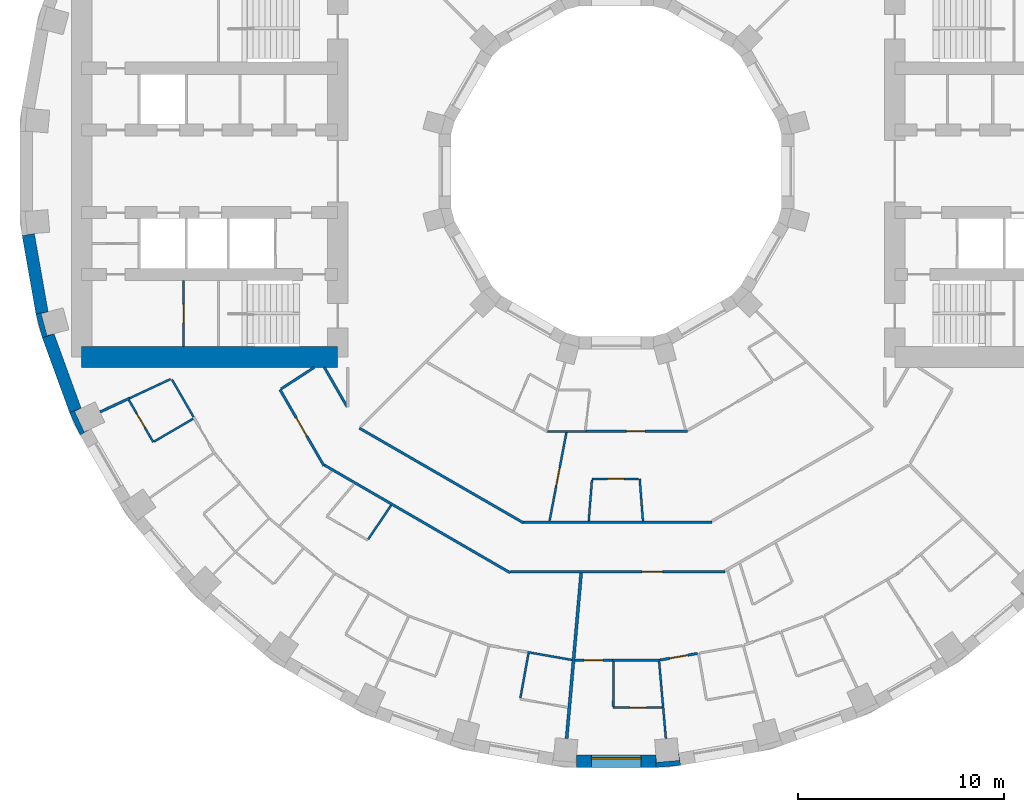
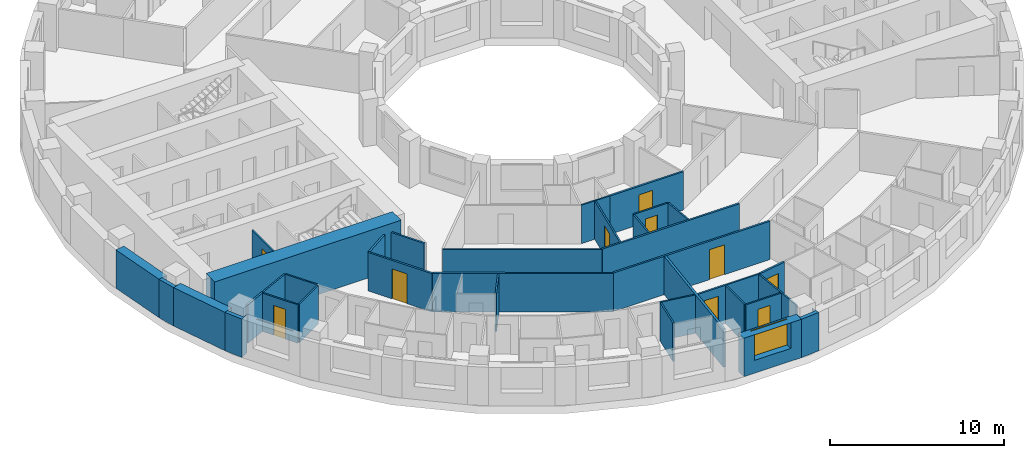
# One storey, part 5 of 15: 36 walls, 10 doors, 1 window, 11 openings.
"""IFC4 building model written with IfcOpenShell, lengths in metres."""

from ifc_helpers import new_model, si_unit, direction, frame, frame_2d, origin, place, context, subcontext, project, spatial, polyline, rectangle, outline, extrude, material, layer, layer_set, type_object, element, fill, save


model = new_model("IFC4")

# Units and contexts
model_context = context("Model", 3, precision=1e-05, world=origin(), true_north=direction((0.0, 1.0)))
body_context = subcontext(model_context, "Body", "Model", "MODEL_VIEW")
ifc_project = project(units=[si_unit("LENGTHUNIT", "METRE"), si_unit("AREAUNIT", "SQUARE_METRE"), si_unit("VOLUMEUNIT", "CUBIC_METRE"), si_unit("PLANEANGLEUNIT", "RADIAN"), si_unit("MASSUNIT", "GRAM", prefix="KILO")], contexts=[model_context])

# Site, building, storey
site_placement = place(None, origin())
site = spatial("IfcSite", under=ifc_project, at=site_placement, CompositionType="ELEMENT")
building_placement = place(site_placement, origin())
building = spatial("IfcBuilding", under=site, at=building_placement, Name="Saqina Gate Tower", CompositionType="ELEMENT")
storey_placement = place(building_placement, frame((0.0, 0.0, 79.10009765625)))
storey = spatial("IfcBuildingStorey", under=building, at=storey_placement, Name="L22", CompositionType="ELEMENT", Elevation=79.10009765625)

# Walls
ifc_material_1 = material(Name="Brick masonry (red)", Category="masonry")
wall_type_1 = type_object("IfcWallType", Name="BRICK PIER COPING RED", PredefinedType="SOLIDWALL", material=ifc_material_1)
wall_1_placement = place(storey_placement, origin())
element("IfcWall", 1, at=wall_1_placement, inside=storey, type_object=wall_type_1, Name="Pier cap L22 column 20", PredefinedType="SOLIDWALL", context=body_context, shape_type="SweptSolid", body=[
    extrude(outline(polyline([(-28.11669921875, -6.910400390625), (-27.80517578125, -8.073974609375), (-27.2412109375, -7.86865234375), (-27.57958984375, -7.95947265625), (-27.864501953125, -6.896728515625), (-27.52587890625, -6.80615234375), (-28.11669921875, -6.910400390625)])), origin(), (0.0, 0.0, 1.0), 2.699951171875),
])
wall_2_placement = place(storey_placement, origin())
element("IfcWall", 2, at=wall_2_placement, inside=storey, type_object=wall_type_1, Name="Pier cap L22 column 21", PredefinedType="SOLIDWALL", context=body_context, shape_type="SweptSolid", body=[
    extrude(outline(polyline([(-25.980712890625, -12.779541015625), (-25.4609375, -12.4794921875), (-25.778564453125, -12.627685546875), (-26.243408203125, -11.630615234375), (-25.92578125, -11.482666015625), (-26.48974609375, -11.687744140625), (-25.980712890625, -12.779541015625)])), origin(), (0.0, 0.0, 1.0), 2.699951171875),
])
wall_3_placement = place(storey_placement, origin())
element("IfcWall", 3, at=wall_3_placement, inside=storey, type_object=wall_type_1, Name="Pier cap L22 column 28", PredefinedType="SOLIDWALL", context=body_context, shape_type="SweptSolid", body=[
    extrude(outline(polyline([(1.9228515625, -28.8896484375), (3.122802734375, -28.78466796875), (3.018798828125, -28.19384765625), (3.04931640625, -28.54296875), (1.95361328125, -28.638671875), (1.9228515625, -28.28955078125), (1.9228515625, -28.8896484375)])), origin(), (0.0, 0.0, 1.0), 2.699951171875),
])

# Wall, opening, door
ifc_material_2 = material(Name="Gypsum board on steel studs", Category="steel")
ifc_layer_1 = layer(ifc_material_2, 0.10009765625)
ifc_layer_set_1 = layer_set([ifc_layer_1], Name="CORE PARTITION")
wall_type_2 = type_object("IfcWallType", Name="CORE PARTITION", PredefinedType="PARTITIONING", material=ifc_layer_set_1)
wall_4_placement = place(storey_placement, frame((-20.961669921875, -8.5, 0.0), z_axis=(0.0, 0.0, 1.0), x_axis=(0.0, 1.0, 0.0)))
wall_4 = element("IfcWall", 4, at=wall_4_placement, inside=storey, type_object=wall_type_2, Name="L22-CP-W12", PredefinedType="PARTITIONING", context=body_context, shape_type="SweptSolid", body=[
    extrude(rectangle(XDim=3.199951171875, YDim=0.10009765625, at=frame_2d((1.60009765625, 0.0))), origin(), (0.0, 0.0, 1.0), 2.699951171875),
])
opening_1_placement = place(wall_4_placement, frame((1.14990234375, 0.0, 0.0)))
opening_1 = element("IfcOpeningElement", 5, at=opening_1_placement, cuts=wall_4, Name="Opening G06-D112", PredefinedType="OPENING", context=body_context, shape_type="SweptSolid", body=[
    extrude(rectangle(XDim=0.89990234375, YDim=2.10009765625, at=frame_2d((0.449951171875, 1.050048828125))), frame((0.0, 0.06201171875, 0.0), z_axis=(0.0, -1.0, 0.0), x_axis=(1.0, 0.0, 0.0)), (0.0, 0.0, 1.0), 0.1240234375),
])
ifc_material_3 = material(Name="Steel-framed fire door leaf, EI 60", Category="steel")
door_type_1 = type_object("IfcDoorType", Name="SERVICE ROOM DOOR 900", OperationType="SINGLE_SWING_LEFT", PredefinedType="DOOR", material=ifc_material_3)
door_1_placement = place(opening_1_placement, origin())
door_1 = element("IfcDoor", 6, at=door_1_placement, inside=storey, type_object=door_type_1, Name="L22-CD-W23", OperationType="SINGLE_SWING_LEFT", OverallHeight=2.10009765625, OverallWidth=0.89990234375, PredefinedType="DOOR", context=body_context, shape_type="SweptSolid", body=[
    extrude(rectangle(XDim=0.89990234375, YDim=2.10009765625, at=frame_2d((0.449951171875, 1.050048828125))), frame((0.0, 0.02490234375, 0.0), z_axis=(0.0, -1.0, 0.0), x_axis=(1.0, 0.0, 0.0)), (0.0, 0.0, 1.0), 0.050048828125),
])
fill(opening_1, door_1)

# Wall, opening, window
ifc_material_4 = material(Name="Brick masonry (red)", Category="masonry")
ifc_layer_2 = layer(ifc_material_4, 0.60009765625)
ifc_layer_set_2 = layer_set([ifc_layer_2], Name="FW-BRICK-RED")
wall_type_3 = type_object("IfcWallType", Name="FW-BRICK-RED", PredefinedType="SOLIDWALL", material=ifc_layer_set_2)
wall_5_placement = place(storey_placement, frame((-1.9228515625, -28.589599609375, 0.0), z_axis=(0.0, 0.0, 1.0), x_axis=(1.0, 0.0, 0.0)))
wall_5 = element("IfcWall", 7, at=wall_5_placement, inside=storey, type_object=wall_type_3, Name="Facade wall L22 facet 27", PredefinedType="SOLIDWALL", context=body_context, shape_type="SweptSolid", body=[
    extrude(rectangle(XDim=3.845703125, YDim=0.60009765625, at=frame_2d((1.9228515625, 0.0))), origin(), (0.0, 0.0, 1.0), 2.699951171875),
])
opening_2_placement = place(wall_5_placement, frame((0.722900390625, 0.0, 0.89990234375)))
opening_2 = element("IfcOpeningElement", 8, at=opening_2_placement, cuts=wall_5, Name="Opening G06-W16", PredefinedType="OPENING", context=body_context, shape_type="SweptSolid", body=[
    extrude(rectangle(XDim=2.39990234375, YDim=1.800048828125, at=frame_2d((1.199951171875, 0.89990234375))), frame((0.0, 0.31201171875, 0.0), z_axis=(0.0, -1.0, 0.0), x_axis=(1.0, 0.0, 0.0)), (0.0, 0.0, 1.0), 0.6240234375),
])
ifc_material_5 = material(Name="Aluminium glazing", Category="aluminium")
window_type = type_object("IfcWindowType", Name="WN-A", PartitioningType="SINGLE_PANEL", PredefinedType="WINDOW", material=ifc_material_5)
window_placement = place(opening_2_placement, origin())
window = element("IfcWindow", 9, at=window_placement, inside=storey, type_object=window_type, Name="Window L22 facet 27", OverallHeight=1.800048828125, OverallWidth=2.39990234375, PartitioningType="SINGLE_PANEL", PredefinedType="WINDOW", context=body_context, shape_type="SweptSolid", body=[
    extrude(rectangle(XDim=2.39990234375, YDim=1.800048828125, at=frame_2d((1.199951171875, 0.89990234375))), frame((0.0, 0.179931640625, 0.0), z_axis=(0.0, -1.0, 0.0), x_axis=(1.0, 0.0, 0.0)), (0.0, 0.0, 1.0), 0.06005859375),
])
fill(opening_2, window)

# Walls
ifc_material_6 = material(Name="Glazed ceramic tile", Category="ceramic")
ifc_layer_3 = layer(ifc_material_6, 0.60009765625)
ifc_layer_set_3 = layer_set([ifc_layer_3], Name="FW-TILE")
wall_type_4 = type_object("IfcWallType", Name="FW-TILE", PredefinedType="SOLIDWALL", material=ifc_layer_set_3)
wall_6_placement = place(storey_placement, frame((-28.4892578125, -3.07080078125, 0.0), z_axis=(0.0, 0.0, 1.0), x_axis=(0.173687553279, -0.984800809218, 0.0)))
element("IfcWall", 10, at=wall_6_placement, inside=storey, type_object=wall_type_4, Name="Facade wall L22 facet 19", PredefinedType="SOLIDWALL", context=body_context, shape_type="SweptSolid", body=[
    extrude(rectangle(XDim=3.845703125, YDim=0.60009765625, at=frame_2d((1.9228515625, 0.0))), origin(), (0.0, 0.0, 1.0), 2.699951171875),
])
ifc_material_7 = material(Name="Glazed ceramic tile (dark blue)", Category="ceramic")
ifc_layer_4 = layer(ifc_material_7, 0.60009765625)
ifc_layer_set_4 = layer_set([ifc_layer_4], Name="FW-TILE-CB")
wall_type_5 = type_object("IfcWallType", Name="FW-TILE-CB", PredefinedType="SOLIDWALL", material=ifc_layer_set_4)
wall_7_placement = place(storey_placement, frame((-27.523193359375, -7.97119140625, 0.0), z_axis=(0.0, 0.0, 1.0), x_axis=(0.342028474173, -0.939689588564, 0.0)))
element("IfcWall", 11, at=wall_7_placement, inside=storey, type_object=wall_type_5, Name="Facade wall L22 facet 20", PredefinedType="SOLIDWALL", context=body_context, shape_type="SweptSolid", body=[
    extrude(rectangle(XDim=3.845947265625, YDim=0.60009765625, at=frame_2d((1.9228515625, 0.0))), origin(), (0.0, 0.0, 1.0), 2.699951171875),
])
ifc_material_8 = material(Name="Gypsum board on steel studs, 100 mm", Category="steel")
ifc_layer_5 = layer(ifc_material_8, 0.10009765625)
ifc_layer_set_5 = layer_set([ifc_layer_5], Name="PARTITION 100")
wall_type_6 = type_object("IfcWallType", Name="PARTITION 100", PredefinedType="PARTITIONING", material=ifc_layer_set_5)
wall_8_placement = place(storey_placement, frame((1.136962890625, -14.89990234375, 0.0), z_axis=(0.0, 0.0, 1.0), x_axis=(0.075974816416, -0.997109736825, 0.0)))
element("IfcWall", 12, at=wall_8_placement, inside=storey, type_object=wall_type_6, Name="PARTITION PW3-01", PredefinedType="PARTITIONING", context=body_context, shape_type="SweptSolid", body=[
    extrude(rectangle(XDim=2.043701171875, YDim=0.10009765625, at=frame_2d((1.02197265625, 0.0))), origin(), (0.0, 0.0, 1.0), 2.699951171875),
])
wall_9_placement = place(storey_placement, frame((2.075439453125, -23.739990234375, 0.0), z_axis=(0.0, 0.0, 1.0), x_axis=(0.087473063517, -0.996166885195, 0.0)))
element("IfcWall", 13, at=wall_9_placement, inside=storey, type_object=wall_type_6, Name="PARTITION PW3-02", PredefinedType="PARTITIONING", context=body_context, shape_type="SweptSolid", body=[
    extrude(rectangle(XDim=3.759521484375, YDim=0.10009765625, at=frame_2d((1.8798828125, 0.0))), origin(), (0.0, 0.0, 1.0), 2.699951171875),
])

# Wall, opening, door
wall_10_placement = place(storey_placement, frame((-23.618896484375, -11.0712890625, 0.0), z_axis=(0.0, 0.0, 1.0), x_axis=(0.500121220083, -0.865955406025, 0.0)))
wall_10 = element("IfcWall", 14, at=wall_10_placement, inside=storey, type_object=wall_type_6, Name="PARTITION PW3-20", PredefinedType="PARTITIONING", context=body_context, shape_type="SweptSolid", body=[
    extrude(rectangle(XDim=2.3671875, YDim=0.10009765625, at=frame_2d((1.18359375, 0.0))), origin(), (0.0, 0.0, 1.0), 2.699951171875),
])
opening_3_placement = place(wall_10_placement, frame((0.75732421875, 0.0, 0.0)))
opening_3 = element("IfcOpeningElement", 15, at=opening_3_placement, cuts=wall_10, Name="Opening G06-D34", PredefinedType="OPENING", context=body_context, shape_type="SweptSolid", body=[
    extrude(rectangle(XDim=0.800048828125, YDim=2.10009765625, at=frame_2d((0.39990234375, 1.050048828125))), frame((0.0, 0.06201171875, 0.0), z_axis=(0.0, -1.0, 0.0), x_axis=(1.0, 0.0, 0.0)), (0.0, 0.0, 1.0), 0.1240234375),
])
ifc_material_9 = material(Name="Timber door leaf, 800 mm", Category="wood")
door_type_2 = type_object("IfcDoorType", Name="DOOR 800 TIMBER", OperationType="SINGLE_SWING_LEFT", PredefinedType="DOOR", material=ifc_material_9)
door_2_placement = place(opening_3_placement, frame((0.800048828125, 0.0, 0.0), z_axis=(0.0, 0.0, 1.0), x_axis=(-1.0, 0.0, 0.0)))
door_2 = element("IfcDoor", 16, at=door_2_placement, inside=storey, type_object=door_type_2, Name="DOOR G06-D34", OperationType="SINGLE_SWING_RIGHT", OverallHeight=2.10009765625, OverallWidth=0.800048828125, PredefinedType="DOOR", context=body_context, shape_type="SweptSolid", body=[
    extrude(rectangle(XDim=0.800048828125, YDim=2.10009765625, at=frame_2d((0.39990234375, 1.050048828125))), frame((0.0, 0.02490234375, 0.0), z_axis=(0.0, -1.0, 0.0), x_axis=(1.0, 0.0, 0.0)), (0.0, 0.0, 1.0), 0.050048828125),
])
fill(opening_3, door_2)

# Walls
wall_11_placement = place(storey_placement, frame((-21.527099609375, -10.09326171875, 0.0), z_axis=(0.0, 0.0, 1.0), x_axis=(0.500153222552, -0.865936922628, 0.0)))
element("IfcWall", 17, at=wall_11_placement, inside=storey, type_object=wall_type_6, Name="PARTITION PW3-21", PredefinedType="PARTITIONING", context=body_context, shape_type="SweptSolid", body=[
    extrude(rectangle(XDim=2.093017578125, YDim=0.10009765625, at=frame_2d((1.04638671875, 0.0))), origin(), (0.0, 0.0, 1.0), 2.699951171875),
])
wall_12_placement = place(storey_placement, frame((-4.293212890625, -23.29833984375, 0.0), z_axis=(0.0, 0.0, 1.0), x_axis=(0.984790324535, -0.173746990485, 0.0)))
element("IfcWall", 18, at=wall_12_placement, inside=storey, type_object=wall_type_6, Name="PARTITION PW3-54", PredefinedType="PARTITIONING", context=body_context, shape_type="SweptSolid", body=[
    extrude(rectangle(XDim=2.179443359375, YDim=0.10009765625, at=frame_2d((1.08984375, 0.0))), origin(), (0.0, 0.0, 1.0), 2.699951171875),
])

# Wall, opening, door
wall_13_placement = place(storey_placement, frame((-0.14599609375, -25.989990234375, 0.0), z_axis=(0.0, 0.0, 1.0), x_axis=(1.0, 0.0, 0.0)))
wall_13 = element("IfcWall", 19, at=wall_13_placement, inside=storey, type_object=wall_type_6, Name="PARTITION PW3-56", PredefinedType="PARTITIONING", context=body_context, shape_type="SweptSolid", body=[
    extrude(rectangle(XDim=2.3701171875, YDim=0.10009765625, at=frame_2d((1.18505859375, 0.0))), origin(), (0.0, 0.0, 1.0), 2.699951171875),
])
opening_4_placement = place(wall_13_placement, frame((0.81005859375, 0.0, 0.0)))
opening_4 = element("IfcOpeningElement", 20, at=opening_4_placement, cuts=wall_13, Name="Opening G06-D55", PredefinedType="OPENING", context=body_context, shape_type="SweptSolid", body=[
    extrude(rectangle(XDim=0.800048828125, YDim=2.10009765625, at=frame_2d((0.39990234375, 1.050048828125))), frame((0.0, 0.06201171875, 0.0), z_axis=(0.0, -1.0, 0.0), x_axis=(1.0, 0.0, 0.0)), (0.0, 0.0, 1.0), 0.1240234375),
])
door_3_placement = place(opening_4_placement, frame((0.800048828125, 0.0, 0.0), z_axis=(0.0, 0.0, 1.0), x_axis=(-1.0, 0.0, 0.0)))
door_3 = element("IfcDoor", 21, at=door_3_placement, inside=storey, type_object=door_type_2, Name="DOOR G06-D55", OperationType="SINGLE_SWING_LEFT", OverallHeight=2.10009765625, OverallWidth=0.800048828125, PredefinedType="DOOR", context=body_context, shape_type="SweptSolid", body=[
    extrude(rectangle(XDim=0.800048828125, YDim=2.10009765625, at=frame_2d((0.39990234375, 1.050048828125))), frame((0.0, 0.02490234375, 0.0), z_axis=(0.0, -1.0, 0.0), x_axis=(1.0, 0.0, 0.0)), (0.0, 0.0, 1.0), 0.050048828125),
])
fill(opening_4, door_3)

# Wall
wall_14_placement = place(storey_placement, frame((-0.18310546875, -23.68994140625, 0.0), z_axis=(0.0, 0.0, 1.0), x_axis=(1.0, 0.0, 0.0)))
element("IfcWall", 22, at=wall_14_placement, inside=storey, type_object=wall_type_6, Name="PARTITION PW3-57", PredefinedType="PARTITIONING", context=body_context, shape_type="SweptSolid", body=[
    extrude(rectangle(XDim=2.306884765625, YDim=0.10009765625, at=frame_2d((1.1533203125, 0.0))), origin(), (0.0, 0.0, 1.0), 2.699951171875),
])

# Wall, opening, door
wall_15_placement = place(storey_placement, frame((-1.173095703125, -14.89990234375, 0.0), z_axis=(0.0, 0.0, 1.0), x_axis=(1.0, 0.0, 0.0)))
wall_15 = element("IfcWall", 23, at=wall_15_placement, inside=storey, type_object=wall_type_6, Name="PARTITION PW3-58", PredefinedType="PARTITIONING", context=body_context, shape_type="SweptSolid", body=[
    extrude(rectangle(XDim=2.260009765625, YDim=0.10009765625, at=frame_2d((1.1298828125, 0.0))), origin(), (0.0, 0.0, 1.0), 2.699951171875),
])
opening_5_placement = place(wall_15_placement, frame((0.7548828125, 0.0, 0.0)))
opening_5 = element("IfcOpeningElement", 24, at=opening_5_placement, cuts=wall_15, Name="Opening G06-D54", PredefinedType="OPENING", context=body_context, shape_type="SweptSolid", body=[
    extrude(rectangle(XDim=0.800048828125, YDim=2.10009765625, at=frame_2d((0.39990234375, 1.050048828125))), frame((0.0, 0.06201171875, 0.0), z_axis=(0.0, -1.0, 0.0), x_axis=(1.0, 0.0, 0.0)), (0.0, 0.0, 1.0), 0.1240234375),
])
door_4_placement = place(opening_5_placement, origin())
door_4 = element("IfcDoor", 25, at=door_4_placement, inside=storey, type_object=door_type_2, Name="DOOR G06-D54", OperationType="SINGLE_SWING_RIGHT", OverallHeight=2.10009765625, OverallWidth=0.800048828125, PredefinedType="DOOR", context=body_context, shape_type="SweptSolid", body=[
    extrude(rectangle(XDim=0.800048828125, YDim=2.10009765625, at=frame_2d((0.39990234375, 1.050048828125))), frame((0.0, 0.02490234375, 0.0), z_axis=(0.0, -1.0, 0.0), x_axis=(1.0, 0.0, 0.0)), (0.0, 0.0, 1.0), 0.050048828125),
])
fill(opening_5, door_4)

# Walls
wall_16_placement = place(storey_placement, frame((-3.325927734375, -12.60009765625, 0.0), z_axis=(0.0, 0.0, 1.0), x_axis=(1.0, 0.0, 0.0)))
element("IfcWall", 26, at=wall_16_placement, inside=storey, type_object=wall_type_6, Name="PARTITION PW3-59", PredefinedType="PARTITIONING", context=body_context, shape_type="SweptSolid", body=[
    extrude(rectangle(XDim=1.869873046875, YDim=0.10009765625, at=frame_2d((0.93505859375, 0.0))), origin(), (0.0, 0.0, 1.0), 2.699951171875),
])
wall_17_placement = place(storey_placement, frame((-23.58837890625, -10.99951171875, 0.0), z_axis=(0.0, 0.0, 1.0), x_axis=(0.906316523208, 0.422599526454, 0.0)))
element("IfcWall", 27, at=wall_17_placement, inside=storey, type_object=wall_type_6, Name="PARTITION PW3-71", PredefinedType="PARTITIONING", context=body_context, shape_type="SweptSolid", body=[
    extrude(rectangle(XDim=2.197021484375, YDim=0.10009765625, at=frame_2d((1.0986328125, 0.0))), origin(), (0.0, 0.0, 1.0), 2.699951171875),
])
wall_18_placement = place(storey_placement, frame((-22.391845703125, -13.095703125, 0.0), z_axis=(0.0, 0.0, 1.0), x_axis=(0.863305021383, 0.504682514116, 0.0)))
element("IfcWall", 28, at=wall_18_placement, inside=storey, type_object=wall_type_6, Name="PARTITION PW3-82", PredefinedType="PARTITIONING", context=body_context, shape_type="SweptSolid", body=[
    extrude(rectangle(XDim=2.18798828125, YDim=0.10009765625, at=frame_2d((1.093994140625, 0.0))), origin(), (0.0, 0.0, 1.0), 2.699951171875),
])
wall_19_placement = place(storey_placement, frame((-12.01806640625, -17.82958984375, 0.0), z_axis=(0.0, 0.0, 1.0), x_axis=(0.559188682258, 0.829040419784, 0.0)))
element("IfcWall", 29, at=wall_19_placement, inside=storey, type_object=wall_type_6, Name="PARTITION PW3-103", PredefinedType="PARTITIONING", context=body_context, shape_type="SweptSolid", body=[
    extrude(rectangle(XDim=1.9921875, YDim=0.10009765625, at=frame_2d((0.99609375, 0.0))), origin(), (0.0, 0.0, 1.0), 2.699951171875),
])

# Wall, opening, door
wall_20_placement = place(storey_placement, frame((-3.231201171875, -16.938720703125, 0.0), z_axis=(0.0, 0.0, 1.0), x_axis=(0.18729194025, 0.982304295581, 0.0)))
wall_20 = element("IfcWall", 30, at=wall_20_placement, inside=storey, type_object=wall_type_6, Name="PARTITION PW3-114", PredefinedType="PARTITIONING", context=body_context, shape_type="SweptSolid", body=[
    extrude(rectangle(XDim=4.366943359375, YDim=0.10009765625, at=frame_2d((2.18359375, 0.0))), origin(), (0.0, 0.0, 1.0), 2.699951171875),
])
opening_6_placement = place(wall_20_placement, frame((1.72705078125, 0.0, 0.0)))
opening_6 = element("IfcOpeningElement", 31, at=opening_6_placement, cuts=wall_20, Name="Opening G06-D50", PredefinedType="OPENING", context=body_context, shape_type="SweptSolid", body=[
    extrude(rectangle(XDim=0.89990234375, YDim=2.10009765625, at=frame_2d((0.449951171875, 1.050048828125))), frame((0.0, 0.06201171875, 0.0), z_axis=(0.0, -1.0, 0.0), x_axis=(1.0, 0.0, 0.0)), (0.0, 0.0, 1.0), 0.1240234375),
])
ifc_material_10 = material(Name="Timber door leaf, 900 mm", Category="wood")
door_type_3 = type_object("IfcDoorType", Name="DOOR 900 TIMBER", OperationType="SINGLE_SWING_LEFT", PredefinedType="DOOR", material=ifc_material_10)
door_5_placement = place(opening_6_placement, frame((0.89990234375, 0.0, 0.0), z_axis=(0.0, 0.0, 1.0), x_axis=(-1.0, 0.0, 0.0)))
door_5 = element("IfcDoor", 32, at=door_5_placement, inside=storey, type_object=door_type_3, Name="DOOR G06-D50", OperationType="SINGLE_SWING_RIGHT", OverallHeight=2.10009765625, OverallWidth=0.89990234375, PredefinedType="DOOR", context=body_context, shape_type="SweptSolid", body=[
    extrude(rectangle(XDim=0.89990234375, YDim=2.10009765625, at=frame_2d((0.449951171875, 1.050048828125))), frame((0.0, 0.02490234375, 0.0), z_axis=(0.0, -1.0, 0.0), x_axis=(1.0, 0.0, 0.0)), (0.0, 0.0, 1.0), 0.050048828125),
])
fill(opening_6, door_5)

# Walls
wall_21_placement = place(storey_placement, frame((-4.64697265625, -25.520751953125, 0.0), z_axis=(0.0, 0.0, 1.0), x_axis=(0.179130970408, 0.983825236229, 0.0)))
element("IfcWall", 33, at=wall_21_placement, inside=storey, type_object=wall_type_6, Name="PARTITION PW3-115", PredefinedType="PARTITIONING", context=body_context, shape_type="SweptSolid", body=[
    extrude(rectangle(XDim=2.1875, YDim=0.10009765625, at=frame_2d((1.09375, 0.0))), origin(), (0.0, 0.0, 1.0), 2.699951171875),
])
wall_22_placement = place(storey_placement, frame((-1.3330078125, -16.937744140625, 0.0), z_axis=(0.0, 0.0, 1.0), x_axis=(0.078241354856, 0.996934446386, 0.0)))
element("IfcWall", 34, at=wall_22_placement, inside=storey, type_object=wall_type_6, Name="PARTITION PW3-118", PredefinedType="PARTITIONING", context=body_context, shape_type="SweptSolid", body=[
    extrude(rectangle(XDim=1.993896484375, YDim=0.10009765625, at=frame_2d((0.9970703125, 0.0))), origin(), (0.0, 0.0, 1.0), 2.699951171875),
])
wall_23_placement = place(storey_placement, frame((-0.145751953125, -25.93994140625, 0.0), z_axis=(0.0, 0.0, 1.0), x_axis=(0.005691872083, 0.999983801165, 0.0)))
element("IfcWall", 35, at=wall_23_placement, inside=storey, type_object=wall_type_6, Name="PARTITION PW3-119", PredefinedType="PARTITIONING", context=body_context, shape_type="SweptSolid", body=[
    extrude(rectangle(XDim=2.1875, YDim=0.10009765625, at=frame_2d((1.09375, 0.0))), origin(), (0.0, 0.0, 1.0), 2.699951171875),
])

# Wall, opening, door
ifc_material_11 = material(Name="Gypsum board on steel studs, 125 mm, fire rated", Category="steel")
ifc_layer_6 = layer(ifc_material_11, 0.125)
ifc_layer_set_6 = layer_set([ifc_layer_6], Name="PARTITION EI 30 125")
wall_type_7 = type_object("IfcWallType", Name="PARTITION EI 30 125", PredefinedType="PARTITIONING", material=ifc_layer_set_6)
wall_24_placement = place(storey_placement, frame((-16.29296875, -10.580078125, 0.0), z_axis=(0.0, 0.0, 1.0), x_axis=(0.499965871761, -0.866045106836, 0.0)))
wall_24 = element("IfcWall", 36, at=wall_24_placement, inside=storey, type_object=wall_type_7, Name="PARTITION PW1-05", PredefinedType="PARTITIONING", context=body_context, shape_type="SweptSolid", body=[
    extrude(rectangle(XDim=4.254150390625, YDim=0.125, at=frame_2d((2.126953125, 0.0))), origin(), (0.0, 0.0, 1.0), 2.699951171875),
])
opening_7_placement = place(wall_24_placement, frame((1.591064453125, 0.0, 0.0)))
opening_7 = element("IfcOpeningElement", 37, at=opening_7_placement, cuts=wall_24, Name="Opening G06-D37", PredefinedType="OPENING", context=body_context, shape_type="SweptSolid", body=[
    extrude(rectangle(XDim=1.0, YDim=2.10009765625, at=frame_2d((0.5, 1.050048828125))), frame((0.0, 0.074462890625, 0.0), z_axis=(0.0, -1.0, 0.0), x_axis=(1.0, 0.0, 0.0)), (0.0, 0.0, 1.0), 0.14892578125),
])
ifc_material_12 = material(Name="Fire door leaf EI 30, 1000 mm")
door_type_4 = type_object("IfcDoorType", Name="DOOR 1000 EI 30", OperationType="SINGLE_SWING_LEFT", PredefinedType="DOOR", material=ifc_material_12)
door_6_placement = place(opening_7_placement, frame((1.0, 0.0, 0.0), z_axis=(0.0, 0.0, 1.0), x_axis=(-1.0, 0.0, 0.0)))
door_6 = element("IfcDoor", 38, at=door_6_placement, inside=storey, type_object=door_type_4, Name="DOOR G06-D37", OperationType="SINGLE_SWING_RIGHT", OverallHeight=2.10009765625, OverallWidth=1.0, PredefinedType="DOOR", context=body_context, shape_type="SweptSolid", body=[
    extrude(rectangle(XDim=1.0, YDim=2.10009765625, at=frame_2d((0.5, 1.050048828125))), frame((0.0, 0.02490234375, 0.0), z_axis=(0.0, -1.0, 0.0), x_axis=(1.0, 0.0, 0.0)), (0.0, 0.0, 1.0), 0.050048828125),
])
fill(opening_7, door_6)

# Walls
wall_25_placement = place(storey_placement, frame((-14.14501953125, -9.5, 0.0), z_axis=(0.0, 0.0, 1.0), x_axis=(0.500012531179, -0.866018168784, 0.0)))
element("IfcWall", 39, at=wall_25_placement, inside=storey, type_object=wall_type_7, Name="PARTITION PW1-06", PredefinedType="PARTITIONING", context=body_context, shape_type="SweptSolid", body=[
    extrude(rectangle(XDim=2.2099609375, YDim=0.125, at=frame_2d((1.10498046875, 0.0))), origin(), (0.0, 0.0, 1.0), 2.699951171875),
])
wall_26_placement = place(storey_placement, frame((-14.1474609375, -14.232421875, 0.0), z_axis=(0.0, 0.0, 1.0), x_axis=(0.865199394038, -0.501427969459, 0.0)))
element("IfcWall", 40, at=wall_26_placement, inside=storey, type_object=wall_type_7, Name="PARTITION PW1-20", PredefinedType="PARTITIONING", context=body_context, shape_type="SweptSolid", body=[
    extrude(rectangle(XDim=10.416015625, YDim=0.125, at=frame_2d((5.2080078125, 0.0))), origin(), (0.0, 0.0, 1.0), 2.699951171875),
])
wall_27_placement = place(storey_placement, frame((-12.445068359375, -12.445068359375, 0.0), z_axis=(0.0, 0.0, 1.0), x_axis=(0.866043911468, -0.499967942382, 0.0)))
element("IfcWall", 41, at=wall_27_placement, inside=storey, type_object=wall_type_7, Name="PARTITION PW1-22", PredefinedType="PARTITIONING", context=body_context, shape_type="SweptSolid", body=[
    extrude(rectangle(XDim=9.1826171875, YDim=0.125, at=frame_2d((4.59130859375, 0.0))), origin(), (0.0, 0.0, 1.0), 2.699951171875),
])

# Wall, opening, door
wall_28_placement = place(storey_placement, frame((-1.998046875, -23.68994140625, 0.0), z_axis=(0.0, 0.0, 1.0), x_axis=(1.0, 0.0, 0.0)))
wall_28 = element("IfcWall", 42, at=wall_28_placement, inside=storey, type_object=wall_type_7, Name="PARTITION PW1-30", PredefinedType="PARTITIONING", context=body_context, shape_type="SweptSolid", body=[
    extrude(rectangle(XDim=1.81494140625, YDim=0.125, at=frame_2d((0.907470703125, 0.0))), origin(), (0.0, 0.0, 1.0), 2.699951171875),
])
opening_8_placement = place(wall_28_placement, frame((0.445068359375, 0.0, 0.0)))
opening_8 = element("IfcOpeningElement", 43, at=opening_8_placement, cuts=wall_28, Name="Opening G06-D53", PredefinedType="OPENING", context=body_context, shape_type="SweptSolid", body=[
    extrude(rectangle(XDim=0.89990234375, YDim=2.10009765625, at=frame_2d((0.449951171875, 1.050048828125))), frame((0.0, 0.074462890625, 0.0), z_axis=(0.0, -1.0, 0.0), x_axis=(1.0, 0.0, 0.0)), (0.0, 0.0, 1.0), 0.14892578125),
])
ifc_material_13 = material(Name="Fire door leaf EI 30, 900 mm")
door_type_5 = type_object("IfcDoorType", Name="DOOR 900 EI 30", OperationType="SINGLE_SWING_LEFT", PredefinedType="DOOR", material=ifc_material_13)
door_7_placement = place(opening_8_placement, origin())
door_7 = element("IfcDoor", 44, at=door_7_placement, inside=storey, type_object=door_type_5, Name="DOOR G06-D53", OperationType="SINGLE_SWING_LEFT", OverallHeight=2.10009765625, OverallWidth=0.89990234375, PredefinedType="DOOR", context=body_context, shape_type="SweptSolid", body=[
    extrude(rectangle(XDim=0.89990234375, YDim=2.10009765625, at=frame_2d((0.449951171875, 1.050048828125))), frame((0.0, 0.02490234375, 0.0), z_axis=(0.0, -1.0, 0.0), x_axis=(1.0, 0.0, 0.0)), (0.0, 0.0, 1.0), 0.050048828125),
])
fill(opening_8, door_7)

wall_29_placement = place(storey_placement, frame((-5.135498046875, -19.39990234375, 0.0), z_axis=(0.0, 0.0, 1.0), x_axis=(1.0, 0.0, 0.0)))
wall_29 = element("IfcWall", 45, at=wall_29_placement, inside=storey, type_object=wall_type_7, Name="PARTITION PW1-31", PredefinedType="PARTITIONING", context=body_context, shape_type="SweptSolid", body=[
    extrude(rectangle(XDim=10.405517578125, YDim=0.125, at=frame_2d((5.20263671875, 0.0))), origin(), (0.0, 0.0, 1.0), 2.699951171875),
])
opening_9_placement = place(wall_29_placement, frame((6.385986328125, 0.0, 0.0)))
opening_9 = element("IfcOpeningElement", 46, at=opening_9_placement, cuts=wall_29, Name="Opening G06-D57", PredefinedType="OPENING", context=body_context, shape_type="SweptSolid", body=[
    extrude(rectangle(XDim=1.0, YDim=2.10009765625, at=frame_2d((0.5, 1.050048828125))), frame((0.0, 0.074462890625, 0.0), z_axis=(0.0, -1.0, 0.0), x_axis=(1.0, 0.0, 0.0)), (0.0, 0.0, 1.0), 0.14892578125),
])
door_8_placement = place(opening_9_placement, frame((1.0, 0.0, 0.0), z_axis=(0.0, 0.0, 1.0), x_axis=(-1.0, 0.0, 0.0)))
door_8 = element("IfcDoor", 47, at=door_8_placement, inside=storey, type_object=door_type_4, Name="DOOR G06-D57", OperationType="SINGLE_SWING_LEFT", OverallHeight=2.10009765625, OverallWidth=1.0, PredefinedType="DOOR", context=body_context, shape_type="SweptSolid", body=[
    extrude(rectangle(XDim=1.0, YDim=2.10009765625, at=frame_2d((0.5, 1.050048828125))), frame((0.0, 0.02490234375, 0.0), z_axis=(0.0, -1.0, 0.0), x_axis=(1.0, 0.0, 0.0)), (0.0, 0.0, 1.0), 0.050048828125),
])
fill(opening_9, door_8)

# Wall
wall_30_placement = place(storey_placement, frame((-4.492431640625, -17.0, 0.0), z_axis=(0.0, 0.0, 1.0), x_axis=(1.0, 0.0, 0.0)))
element("IfcWall", 48, at=wall_30_placement, inside=storey, type_object=wall_type_7, Name="PARTITION PW1-32", PredefinedType="PARTITIONING", context=body_context, shape_type="SweptSolid", body=[
    extrude(rectangle(XDim=9.11962890625, YDim=0.125, at=frame_2d((4.559814453125, 0.0))), origin(), (0.0, 0.0, 1.0), 2.699951171875),
])

# Wall, opening, door
wall_31_placement = place(storey_placement, frame((-1.4560546875, -12.60009765625, 0.0), z_axis=(0.0, 0.0, 1.0), x_axis=(1.0, 0.0, 0.0)))
wall_31 = element("IfcWall", 49, at=wall_31_placement, inside=storey, type_object=wall_type_7, Name="PARTITION PW1-33", PredefinedType="PARTITIONING", context=body_context, shape_type="SweptSolid", body=[
    extrude(rectangle(XDim=4.904296875, YDim=0.125, at=frame_2d((2.4521484375, 0.0))), origin(), (0.0, 0.0, 1.0), 2.699951171875),
])
opening_10_placement = place(wall_31_placement, frame((1.94091796875, 0.0, 0.0)))
opening_10 = element("IfcOpeningElement", 50, at=opening_10_placement, cuts=wall_31, Name="Opening G06-D56", PredefinedType="OPENING", context=body_context, shape_type="SweptSolid", body=[
    extrude(rectangle(XDim=0.89990234375, YDim=2.10009765625, at=frame_2d((0.449951171875, 1.050048828125))), frame((0.0, 0.074462890625, 0.0), z_axis=(0.0, -1.0, 0.0), x_axis=(1.0, 0.0, 0.0)), (0.0, 0.0, 1.0), 0.14892578125),
])
door_9_placement = place(opening_10_placement, frame((0.89990234375, 0.0, 0.0), z_axis=(0.0, 0.0, 1.0), x_axis=(-1.0, 0.0, 0.0)))
door_9 = element("IfcDoor", 51, at=door_9_placement, inside=storey, type_object=door_type_5, Name="DOOR G06-D56", OperationType="SINGLE_SWING_RIGHT", OverallHeight=2.10009765625, OverallWidth=0.89990234375, PredefinedType="DOOR", context=body_context, shape_type="SweptSolid", body=[
    extrude(rectangle(XDim=0.89990234375, YDim=2.10009765625, at=frame_2d((0.449951171875, 1.050048828125))), frame((0.0, 0.02490234375, 0.0), z_axis=(0.0, -1.0, 0.0), x_axis=(1.0, 0.0, 0.0)), (0.0, 0.0, 1.0), 0.050048828125),
])
fill(opening_10, door_9)

wall_32_placement = place(storey_placement, frame((2.122314453125, -23.681396484375, 0.0), z_axis=(0.0, 0.0, 1.0), x_axis=(0.984770194999, 0.173861045209, 0.0)))
wall_32 = element("IfcWall", 52, at=wall_32_placement, inside=storey, type_object=wall_type_7, Name="PARTITION PW1-36", PredefinedType="PARTITIONING", context=body_context, shape_type="SweptSolid", body=[
    extrude(rectangle(XDim=1.839599609375, YDim=0.125, at=frame_2d((0.919921875, 0.0))), origin(), (0.0, 0.0, 1.0), 2.699951171875),
])
opening_11_placement = place(wall_32_placement, frame((0.4697265625, 0.0, 0.0)))
opening_11 = element("IfcOpeningElement", 53, at=opening_11_placement, cuts=wall_32, Name="Opening G06-D58", PredefinedType="OPENING", context=body_context, shape_type="SweptSolid", body=[
    extrude(rectangle(XDim=0.89990234375, YDim=2.10009765625, at=frame_2d((0.449951171875, 1.050048828125))), frame((0.0, 0.074462890625, 0.0), z_axis=(0.0, -1.0, 0.0), x_axis=(1.0, 0.0, 0.0)), (0.0, 0.0, 1.0), 0.14892578125),
])
door_10_placement = place(opening_11_placement, origin())
door_10 = element("IfcDoor", 54, at=door_10_placement, inside=storey, type_object=door_type_5, Name="DOOR G06-D58", OperationType="SINGLE_SWING_LEFT", OverallHeight=2.10009765625, OverallWidth=0.89990234375, PredefinedType="DOOR", context=body_context, shape_type="SweptSolid", body=[
    extrude(rectangle(XDim=0.89990234375, YDim=2.10009765625, at=frame_2d((0.449951171875, 1.050048828125))), frame((0.0, 0.02490234375, 0.0), z_axis=(0.0, -1.0, 0.0), x_axis=(1.0, 0.0, 0.0)), (0.0, 0.0, 1.0), 0.050048828125),
])
fill(opening_11, door_10)

# Walls
wall_33_placement = place(storey_placement, frame((-25.005126953125, -11.659912109375, 0.0), z_axis=(0.0, 0.0, 1.0), x_axis=(0.906366605584, 0.422492102034, 0.0)))
element("IfcWall", 55, at=wall_33_placement, inside=storey, type_object=wall_type_7, Name="PARTITION PW1-40", PredefinedType="PARTITIONING", context=body_context, shape_type="SweptSolid", body=[
    extrude(rectangle(XDim=1.56298828125, YDim=0.125, at=frame_2d((0.781494140625, 0.0))), origin(), (0.0, 0.0, 1.0), 2.699951171875),
])
wall_34_placement = place(storey_placement, frame((-16.240478515625, -10.5458984375, 0.0), z_axis=(0.0, 0.0, 1.0), x_axis=(0.838829547553, 0.544394149631, 0.0)))
element("IfcWall", 56, at=wall_34_placement, inside=storey, type_object=wall_type_7, Name="PARTITION PW1-49", PredefinedType="PARTITIONING", context=body_context, shape_type="SweptSolid", body=[
    extrude(rectangle(XDim=1.921142578125, YDim=0.125, at=frame_2d((0.96044921875, 0.0))), origin(), (0.0, 0.0, 1.0), 2.699951171875),
])
ifc_material_14 = material(Name="Gypsum board on steel studs, 150 mm, fire rated", Category="steel")
ifc_layer_7 = layer(ifc_material_14, 0.14990234375)
ifc_layer_set_7 = layer_set([ifc_layer_7], Name="PARTITION EI 60 150")
wall_type_8 = type_object("IfcWallType", Name="PARTITION EI 60 150", PredefinedType="PARTITIONING", material=ifc_layer_set_7)
wall_35_placement = place(storey_placement, frame((-2.404296875, -27.485107421875, 0.0), z_axis=(0.0, 0.0, 1.0), x_axis=(0.087487718466, 0.99616559824, 0.0)))
element("IfcWall", 57, at=wall_35_placement, inside=storey, type_object=wall_type_8, Name="PARTITION PW2-05", PredefinedType="PARTITIONING", context=body_context, shape_type="SweptSolid", body=[
    extrude(rectangle(XDim=8.053466796875, YDim=0.14990234375, at=frame_2d((4.02685546875, 0.0))), origin(), (0.0, 0.0, 1.0), 2.699951171875),
])
ifc_material_15 = material(Name="Concrete C70/85", Category="concrete")
ifc_layer_8 = layer(ifc_material_15, 1.0)
ifc_layer_set_8 = layer_set([ifc_layer_8], Name="Concrete C70/85")
wall_type_9 = type_object("IfcWallType", Name="STR-CORE WALL-A-O", PredefinedType="SHEAR", material=ifc_layer_set_8)
wall_36_placement = place(storey_placement, frame((-13.5, -9.0, 0.0), z_axis=(0.0, 0.0, 1.0), x_axis=(-1.0, 0.0, 0.0)))
element("IfcWall", 58, at=wall_36_placement, inside=storey, type_object=wall_type_9, Name="CORE WALL L22 W-SE", PredefinedType="SHEAR", context=body_context, shape_type="SweptSolid", body=[
    extrude(rectangle(XDim=12.39990234375, YDim=1.0, at=frame_2d((6.199951171875, 0.0))), origin(), (0.0, 0.0, 1.0), 3.2998046875),
])

save(model, "model.ifc")
